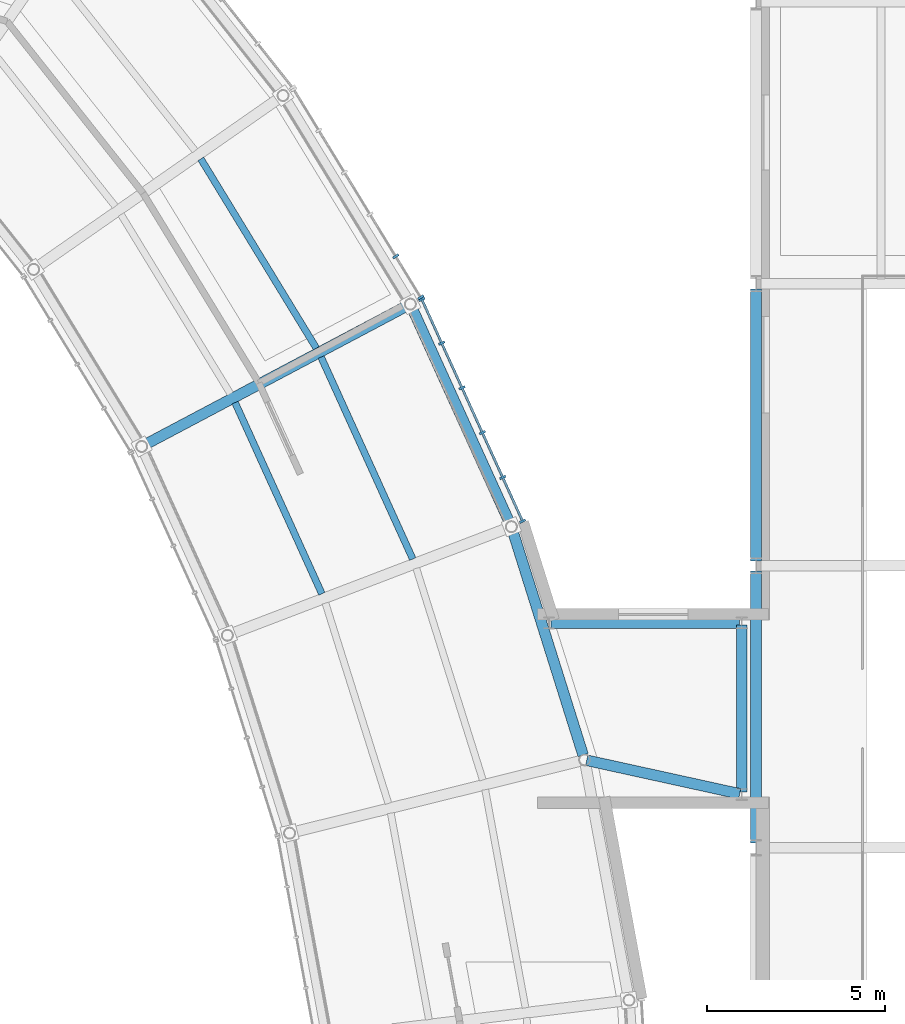
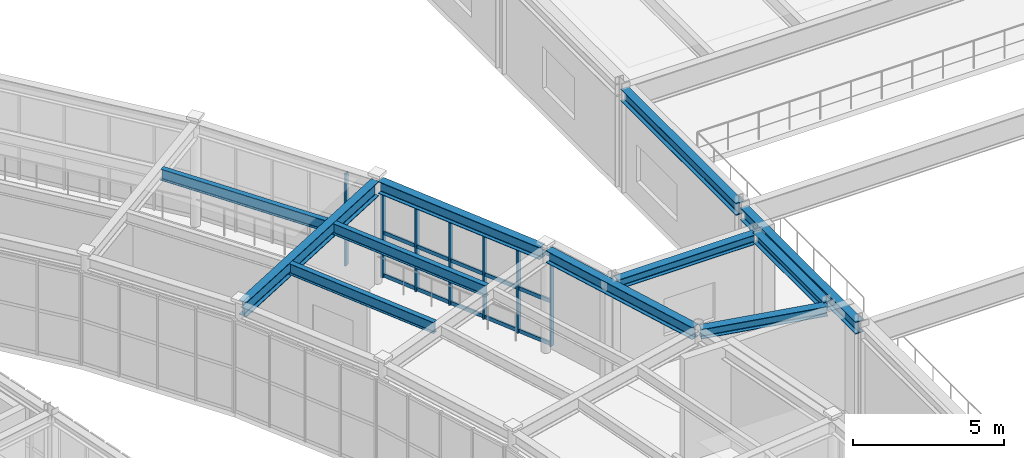
# One storey, part 50 of 103: 11 beams, 11 members, 2 elements without a shape of their own.
"""IFC4 building model written with IfcOpenShell, lengths in metres."""

from ifc_helpers import new_model, si_unit, direction, frame, origin, origin_2d, place, context, subcontext, project, spatial, rectangle, i_section, extrude, material, material_profile, profile_set, type_object, element, aggregate, save


model = new_model("IFC4")

# Units and contexts
model_context = context("Model", 3, precision=1e-05, world=origin(), true_north=direction((0.0, 1.0)))
body_context = subcontext(model_context, "Body", "Model", "MODEL_VIEW")
ifc_project = project(units=[si_unit("LENGTHUNIT", "METRE"), si_unit("AREAUNIT", "SQUARE_METRE"), si_unit("VOLUMEUNIT", "CUBIC_METRE"), si_unit("PLANEANGLEUNIT", "RADIAN"), si_unit("MASSUNIT", "GRAM", prefix="KILO")], contexts=[model_context])

# Site, building, storey
site_placement = place(None, origin())
site = spatial("IfcSite", under=ifc_project, at=site_placement, CompositionType="ELEMENT")
building_placement = place(site_placement, origin())
building = spatial("IfcBuilding", under=site, at=building_placement, Name="Varnklinge Art Gallery", CompositionType="ELEMENT")
storey_placement = place(building_placement, frame((0.0, 0.0, 5.10009765625)))
storey = spatial("IfcBuildingStorey", under=building, at=storey_placement, Name="L01", CompositionType="ELEMENT", Elevation=5.10009765625)

# Beams
ifc_material_1 = material(Name="Steel S355", Category="steel")
ifc_material_profile_1 = material_profile(ifc_material_1, i_section(OverallWidth=0.300048828125, OverallDepth=0.590087890625, WebThickness=0.012939453125, FlangeThickness=0.02490234375, FilletRadius=0.027099609375, at=origin_2d()), Name="HEA 600")
ifc_profile_set_1 = profile_set([ifc_material_profile_1], Name="Steel S355")
beam_type_1 = type_object("IfcBeamType", Name="BM-06", PredefinedType="BEAM", material=ifc_profile_set_1)
beam_1_placement = place(storey_placement, frame((104.592529296875, 81.265380859375, 3.885009765625), z_axis=(-0.883713647739, -0.468027978651, 0.0), x_axis=(0.468027978651, -0.883713647739, 0.0)))
element("IfcBeam", 1, at=beam_1_placement, inside=storey, type_object=beam_type_1, Name="L01 BM-06 BM-V2-L02-R11", PredefinedType="BEAM", context=body_context, shape_type="SweptSolid", body=[
    extrude(i_section(OverallWidth=0.300048828125, OverallDepth=0.590087890625, WebThickness=0.012939453125, FlangeThickness=0.02490234375, FilletRadius=0.027099609375, at=origin_2d()), origin(), (0.0, 0.0, 1.0), 8.237060546875),
])
ifc_material_2 = material(Name="Steel S355", Category="steel")
ifc_material_profile_2 = material_profile(ifc_material_2, i_section(OverallWidth=0.300048828125, OverallDepth=0.389892578125, WebThickness=0.010986328125, FlangeThickness=0.01904296875, FilletRadius=0.027099609375, at=origin_2d()), Name="HEA 400")
ifc_profile_set_2 = profile_set([ifc_material_profile_2], Name="Steel S355")
beam_type_2 = type_object("IfcBeamType", Name="BM-09", PredefinedType="BEAM", material=ifc_profile_set_2)
beam_2_placement = place(storey_placement, frame((109.656982421875, 68.552978515625, 3.98486328125), z_axis=(0.976758555848, -0.214342537955, 0.0), x_axis=(0.214342537955, 0.976758555848, 0.0)))
element("IfcBeam", 2, at=beam_2_placement, inside=storey, type_object=beam_type_2, Name="L01 BM-09 BM-LNK-V1-L02-1", PredefinedType="BEAM", context=body_context, shape_type="SweptSolid", body=[
    extrude(i_section(OverallWidth=0.300048828125, OverallDepth=0.389892578125, WebThickness=0.010986328125, FlangeThickness=0.01904296875, FilletRadius=0.027099609375, at=origin_2d()), origin(), (0.0, 0.0, 1.0), 4.386474609375),
])
beam_3_placement = place(storey_placement, frame((114.0, 67.659912109375, 4.044921875), z_axis=(0.0, 1.0, 0.0), x_axis=(-1.0, 0.0, 0.0)))
element("IfcBeam", 3, at=beam_3_placement, inside=storey, type_object=beam_type_2, Name="L01 BM-09 BM-LNK-V1-L02-2", PredefinedType="BEAM", context=body_context, shape_type="SweptSolid", body=[
    extrude(i_section(OverallWidth=0.300048828125, OverallDepth=0.389892578125, WebThickness=0.010986328125, FlangeThickness=0.01904296875, FilletRadius=0.027099609375, at=origin_2d()), origin(), (0.0, 0.0, 1.0), 4.68017578125),
])
beam_4_placement = place(storey_placement, frame((113.93994140625, 72.39990234375, 3.98486328125), z_axis=(-1.0, 0.0, 0.0), x_axis=(0.0, -1.0, 0.0)))
element("IfcBeam", 4, at=beam_4_placement, inside=storey, type_object=beam_type_2, Name="L01 BM-09 BM-LNK-V1-L02-3", PredefinedType="BEAM", context=body_context, shape_type="SweptSolid", body=[
    extrude(i_section(OverallWidth=0.300048828125, OverallDepth=0.389892578125, WebThickness=0.010986328125, FlangeThickness=0.01904296875, FilletRadius=0.027099609375, at=origin_2d()), origin(), (0.0, 0.0, 1.0), 5.280029296875),
])
ifc_material_3 = material(Name="Steel S355", Category="steel")
ifc_material_profile_3 = material_profile(ifc_material_3, i_section(OverallWidth=0.18994140625, OverallDepth=0.449951171875, WebThickness=0.009521484375, FlangeThickness=0.0146484375, FilletRadius=0.02099609375, at=origin_2d()), Name="IPE 450")
ifc_profile_set_3 = profile_set([ifc_material_profile_3], Name="Steel S355")
beam_type_3 = type_object("IfcBeamType", Name="JST-04", PredefinedType="JOIST", material=ifc_profile_set_3)
beam_5_placement = place(storey_placement, frame((104.783935546875, 74.190185546875, 3.954833984375), z_axis=(-0.413409198448, 0.910545350127, 0.0), x_axis=(-0.910545350127, -0.413409198448, 0.0)))
element("IfcBeam", 5, at=beam_5_placement, inside=storey, type_object=beam_type_3, Name="L01 JST-04 JST-V2-L02-10-1", PredefinedType="JOIST", context=body_context, shape_type="SweptSolid", body=[
    extrude(i_section(OverallWidth=0.18994140625, OverallDepth=0.449951171875, WebThickness=0.009521484375, FlangeThickness=0.0146484375, FilletRadius=0.02099609375, at=origin_2d()), origin(), (0.0, 0.0, 1.0), 6.2138671875),
])
beam_6_placement = place(storey_placement, frame((102.23828125, 73.216552734375, 3.954833984375), z_axis=(-0.413430786601, 0.910535548285, 0.0), x_axis=(-0.910535548285, -0.413430786601, 0.0)))
element("IfcBeam", 6, at=beam_6_placement, inside=storey, type_object=beam_type_3, Name="L01 JST-04 JST-V2-L02-10-2", PredefinedType="JOIST", context=body_context, shape_type="SweptSolid", body=[
    extrude(i_section(OverallWidth=0.18994140625, OverallDepth=0.449951171875, WebThickness=0.009521484375, FlangeThickness=0.0146484375, FilletRadius=0.02099609375, at=origin_2d()), origin(), (0.0, 0.0, 1.0), 5.88232421875),
])
beam_7_placement = place(storey_placement, frame((102.084228515625, 80.09521484375, 3.954833984375), z_axis=(-0.520923848619, 0.853603153661, 0.0), x_axis=(-0.853603153661, -0.520923848619, 0.0)))
element("IfcBeam", 7, at=beam_7_placement, inside=storey, type_object=beam_type_3, Name="L01 JST-04 JST-V2-L02-11-1", PredefinedType="JOIST", context=body_context, shape_type="SweptSolid", body=[
    extrude(i_section(OverallWidth=0.18994140625, OverallDepth=0.449951171875, WebThickness=0.009521484375, FlangeThickness=0.0146484375, FilletRadius=0.02099609375, at=origin_2d()), origin(), (0.0, 0.0, 1.0), 6.213623046875),
])

# Curtain wall, members
ifc_material_4 = material(Name="Anodised Aluminium", Category="aluminium")
curtain_wall_type = type_object("IfcCurtainWallType", Name="CW-R02", PredefinedType="USERDEFINED", material=ifc_material_4)
curtain_wall_1_placement = place(storey_placement, origin())
curtain_wall_1 = element("IfcCurtainWall", 8, at=curtain_wall_1_placement, inside=storey, type_object=curtain_wall_type, Name="L01 Curtain Wall CW-V2O-L01-10", ObjectType="UNITISED CURTAIN WALL", PredefinedType="USERDEFINED")
ifc_material_5 = material(Name="Anodised Aluminium", Category="aluminium")
ifc_material_profile_4 = material_profile(ifc_material_5, rectangle(XDim=0.06494140625, YDim=0.179931640625, at=origin_2d()), Name="ALU 65x180")
ifc_profile_set_4 = profile_set([ifc_material_profile_4], Name="Anodised Aluminium")
member_type_1 = type_object("IfcMemberType", Name="MUL-01", PredefinedType="MULLION", material=ifc_profile_set_4)
member_1_placement = place(storey_placement, frame((107.860107421875, 75.251708984375, 0.0), z_axis=(0.0, 0.0, 1.0), x_axis=(-0.413422293217, 0.910539404678, 0.0)))
member_1 = element("IfcMember", 9, at=member_1_placement, type_object=member_type_1, Name="CW-V2O-L01-10 Mullion 1", PredefinedType="MULLION", context=body_context, shape_type="SweptSolid", body=[
    extrude(rectangle(XDim=0.06494140625, YDim=0.179931640625, at=origin_2d()), origin(), (0.0, 0.0, 1.0), 3.72998046875),
])
member_2_placement = place(storey_placement, frame((107.3037109375, 76.476806640625, 0.0), z_axis=(0.0, 0.0, 1.0), x_axis=(-0.413422293217, 0.910539404678, 0.0)))
member_2 = element("IfcMember", 10, at=member_2_placement, type_object=member_type_1, Name="CW-V2O-L01-10 Mullion 2", PredefinedType="MULLION", context=body_context, shape_type="SweptSolid", body=[
    extrude(rectangle(XDim=0.06494140625, YDim=0.179931640625, at=origin_2d()), origin(), (0.0, 0.0, 1.0), 3.72998046875),
])
member_3_placement = place(storey_placement, frame((106.734130859375, 77.731201171875, 0.0), z_axis=(0.0, 0.0, 1.0), x_axis=(-0.413422293217, 0.910539404678, 0.0)))
member_3 = element("IfcMember", 11, at=member_3_placement, type_object=member_type_1, Name="CW-V2O-L01-10 Mullion 3", PredefinedType="MULLION", context=body_context, shape_type="SweptSolid", body=[
    extrude(rectangle(XDim=0.06494140625, YDim=0.179931640625, at=origin_2d()), origin(), (0.0, 0.0, 1.0), 3.72998046875),
])
member_4_placement = place(storey_placement, frame((106.164794921875, 78.98583984375, 0.0), z_axis=(0.0, 0.0, 1.0), x_axis=(-0.413422293217, 0.910539404678, 0.0)))
member_4 = element("IfcMember", 12, at=member_4_placement, type_object=member_type_1, Name="CW-V2O-L01-10 Mullion 4", PredefinedType="MULLION", context=body_context, shape_type="SweptSolid", body=[
    extrude(rectangle(XDim=0.06494140625, YDim=0.179931640625, at=origin_2d()), origin(), (0.0, 0.0, 1.0), 3.72998046875),
])
member_5_placement = place(storey_placement, frame((105.59521484375, 80.240234375, 0.0), z_axis=(0.0, 0.0, 1.0), x_axis=(-0.413422293217, 0.910539404678, 0.0)))
member_5 = element("IfcMember", 13, at=member_5_placement, type_object=member_type_1, Name="CW-V2O-L01-10 Mullion 5", PredefinedType="MULLION", context=body_context, shape_type="SweptSolid", body=[
    extrude(rectangle(XDim=0.06494140625, YDim=0.179931640625, at=origin_2d()), origin(), (0.0, 0.0, 1.0), 3.72998046875),
])
member_6_placement = place(storey_placement, frame((105.038818359375, 81.465087890625, 0.0), z_axis=(0.0, 0.0, 1.0), x_axis=(-0.413422293217, 0.910539404678, 0.0)))
member_6 = element("IfcMember", 14, at=member_6_placement, type_object=member_type_1, Name="CW-V2O-L01-10 Mullion 6", PredefinedType="MULLION", context=body_context, shape_type="SweptSolid", body=[
    extrude(rectangle(XDim=0.06494140625, YDim=0.179931640625, at=origin_2d()), origin(), (0.0, 0.0, 1.0), 3.72998046875),
])

curtain_wall_2_placement = place(storey_placement, origin())
curtain_wall_2 = element("IfcCurtainWall", 15, at=curtain_wall_2_placement, inside=storey, type_object=curtain_wall_type, Name="L01 Curtain Wall CW-V2O-L01-11", ObjectType="UNITISED CURTAIN WALL", PredefinedType="USERDEFINED")
member_7_placement = place(storey_placement, frame((105.008544921875, 81.5224609375, 0.0), z_axis=(0.0, 0.0, 1.0), x_axis=(-0.520860651188, 0.85364171761, 0.0)))
member_7 = element("IfcMember", 16, at=member_7_placement, type_object=member_type_1, Name="CW-V2O-L01-11 Mullion 1", PredefinedType="MULLION", context=body_context, shape_type="SweptSolid", body=[
    extrude(rectangle(XDim=0.06494140625, YDim=0.179931640625, at=origin_2d()), origin(), (0.0, 0.0, 1.0), 3.72998046875),
])
member_8_placement = place(storey_placement, frame((104.307861328125, 82.6708984375, 0.0), z_axis=(0.0, 0.0, 1.0), x_axis=(-0.520860651188, 0.85364171761, 0.0)))
member_8 = element("IfcMember", 17, at=member_8_placement, type_object=member_type_1, Name="CW-V2O-L01-11 Mullion 2", PredefinedType="MULLION", context=body_context, shape_type="SweptSolid", body=[
    extrude(rectangle(XDim=0.06494140625, YDim=0.179931640625, at=origin_2d()), origin(), (0.0, 0.0, 1.0), 3.72998046875),
])
aggregate(curtain_wall_2, [member_7, member_8])

# Beams
ifc_material_6 = material(Name="Steel S355", Category="steel")
ifc_material_profile_5 = material_profile(ifc_material_6, i_section(OverallWidth=0.300048828125, OverallDepth=0.489990234375, WebThickness=0.011962890625, FlangeThickness=0.02294921875, FilletRadius=0.027099609375, at=origin_2d()), Name="HEA 500")
ifc_profile_set_5 = profile_set([ifc_material_profile_5], Name="Steel S355")
beam_type_4 = type_object("IfcBeamType", Name="SPB-01", PredefinedType="SPANDREL", material=ifc_profile_set_5)
for number, where, z_axis, x_axis, name in (
    (18, (114.39990234375, 66.239990234375, 3.9248046875), (0.0, 1.0, 0.0), (-1.0, 0.0, 0.0), "L01 SPB-01 BM-V1-L02-Y0-1"),
    (19, (114.39990234375, 74.139892578125, 3.9248046875), (0.0, 1.0, 0.0), (-1.0, 0.0, 0.0), "L01 SPB-01 BM-V1-L02-Y0-2"),
):
    element("IfcBeam", number, at=place(storey_placement, frame(where, z_axis=z_axis, x_axis=x_axis)), inside=storey, type_object=beam_type_4, Name=name, PredefinedType="SPANDREL", context=body_context, shape_type="SweptSolid", body=[
        extrude(i_section(OverallWidth=0.300048828125, OverallDepth=0.489990234375, WebThickness=0.011962890625, FlangeThickness=0.02294921875, FilletRadius=0.027099609375, at=origin_2d()), origin(), (0.0, 0.0, 1.0), 7.6201171875),
    ])
beam_8_placement = place(storey_placement, frame((109.556396484375, 68.699462890625, 3.934814453125), z_axis=(-0.299727009364, 0.95402501008, 0.0), x_axis=(-0.95402501008, -0.299727009364, 0.0)))
element("IfcBeam", 20, at=beam_8_placement, inside=storey, type_object=beam_type_4, Name="L01 SPB-01 BM-V2-L02-O09", PredefinedType="SPANDREL", context=body_context, shape_type="SweptSolid", body=[
    extrude(i_section(OverallWidth=0.300048828125, OverallDepth=0.489990234375, WebThickness=0.011962890625, FlangeThickness=0.02294921875, FilletRadius=0.027099609375, at=origin_2d()), origin(), (0.0, 0.0, 1.0), 6.56591796875),
])
beam_9_placement = place(storey_placement, frame((107.488525390625, 75.224609375, 3.934814453125), z_axis=(-0.413377101484, 0.910559922229, 0.0), x_axis=(-0.910559922229, -0.413377101484, 0.0)))
element("IfcBeam", 21, at=beam_9_placement, inside=storey, type_object=beam_type_4, Name="L01 SPB-01 BM-V2-L02-O10", PredefinedType="SPANDREL", context=body_context, shape_type="SweptSolid", body=[
    extrude(i_section(OverallWidth=0.300048828125, OverallDepth=0.489990234375, WebThickness=0.011962890625, FlangeThickness=0.02294921875, FilletRadius=0.027099609375, at=origin_2d()), origin(), (0.0, 0.0, 1.0), 6.56640625),
])

# Member
ifc_material_7 = material(Name="Anodised Aluminium", Category="aluminium")
ifc_material_profile_6 = material_profile(ifc_material_7, rectangle(XDim=0.06494140625, YDim=0.14990234375, at=origin_2d()), Name="ALU 65x150")
ifc_profile_set_6 = profile_set([ifc_material_profile_6], Name="Anodised Aluminium")
member_type_2 = type_object("IfcMemberType", Name="TRN-01", PredefinedType="USERDEFINED", material=ifc_profile_set_6)
member_9_placement = place(storey_placement, frame((107.860107421875, 75.251708984375, 0.074951171875), z_axis=(-0.413441708703, 0.910530589, 0.0), x_axis=(-0.910530589, -0.413441708703, 0.0)))
member_9 = element("IfcMember", 22, at=member_9_placement, type_object=member_type_2, Name="CW-V2O-L01-10 Transom 1", ObjectType="TRANSOM", PredefinedType="USERDEFINED", context=body_context, shape_type="SweptSolid", body=[
    extrude(rectangle(XDim=0.06494140625, YDim=0.14990234375, at=origin_2d()), origin(), (0.0, 0.0, 1.0), 6.823974609375),
])

member_10_placement = place(storey_placement, frame((107.860107421875, 75.251708984375, 1.790283203125), z_axis=(-0.413441708703, 0.910530589, 0.0), x_axis=(-0.910530589, -0.413441708703, 0.0)))
member_10 = element("IfcMember", 23, at=member_10_placement, type_object=member_type_2, Name="CW-V2O-L01-10 Transom 2", ObjectType="TRANSOM", PredefinedType="USERDEFINED", context=body_context, shape_type="SweptSolid", body=[
    extrude(rectangle(XDim=0.06494140625, YDim=0.14990234375, at=origin_2d()), origin(), (0.0, 0.0, 1.0), 6.823974609375),
])

member_11_placement = place(storey_placement, frame((107.860107421875, 75.251708984375, 3.65478515625), z_axis=(-0.413441708703, 0.910530589, 0.0), x_axis=(-0.910530589, -0.413441708703, 0.0)))
member_11 = element("IfcMember", 24, at=member_11_placement, type_object=member_type_2, Name="CW-V2O-L01-10 Transom 3", ObjectType="TRANSOM", PredefinedType="USERDEFINED", context=body_context, shape_type="SweptSolid", body=[
    extrude(rectangle(XDim=0.06494140625, YDim=0.14990234375, at=origin_2d()), origin(), (0.0, 0.0, 1.0), 6.823974609375),
])

aggregate(curtain_wall_1, [member_1, member_2, member_3, member_4, member_5, member_6, member_9, member_10, member_11])

save(model, "model.ifc")
